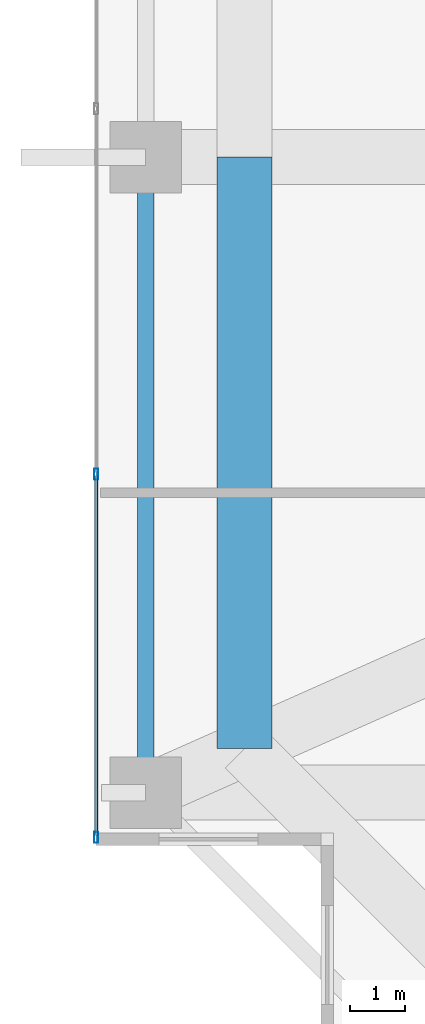
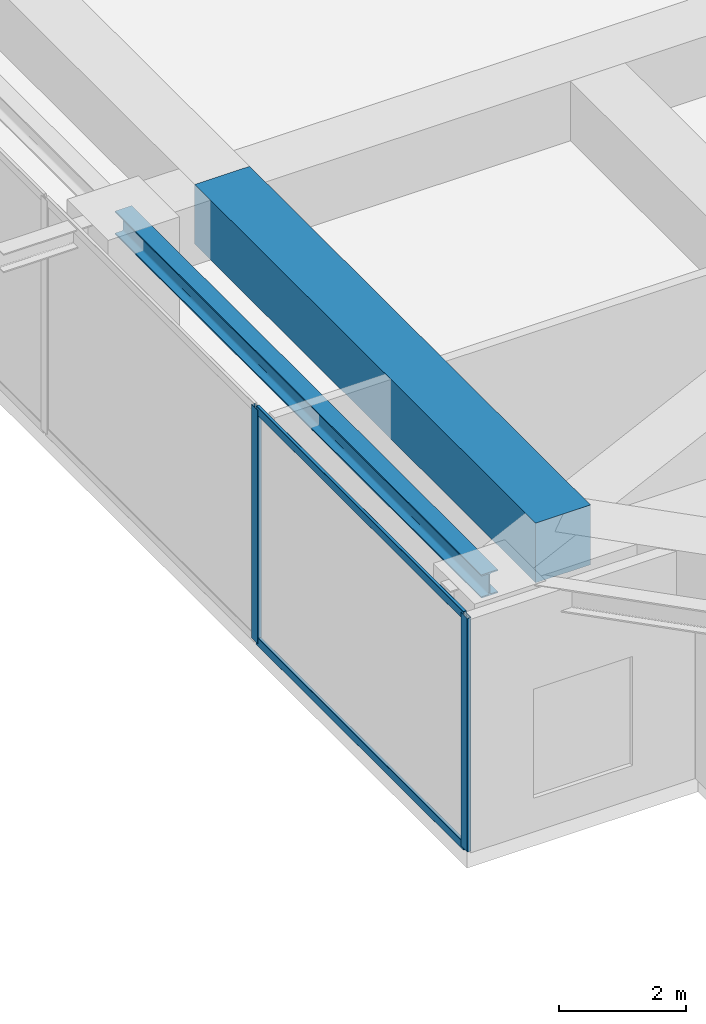
# One storey, part 4 of 35: 4 members, 2 beams, 1 element without a shape of its own.
"""IFC4 building model written with IfcOpenShell, lengths in metres."""

from ifc_helpers import new_model, si_unit, direction, frame, origin, origin_2d, place, context, subcontext, project, spatial, rectangle, hollow_rectangle, i_section, extrude, source, transform, mapped, material, layer, layer_set, material_profile, profile_set, type_object, element, aggregate, save


model = new_model("IFC4")

# Units and contexts
model_context = context("Model", 3, precision=1e-05, world=origin(), true_north=direction((0.0, 1.0)))
body_context = subcontext(model_context, "Body", "Model", "MODEL_VIEW")
ifc_project = project(units=[si_unit("LENGTHUNIT", "METRE"), si_unit("AREAUNIT", "SQUARE_METRE"), si_unit("VOLUMEUNIT", "CUBIC_METRE"), si_unit("PLANEANGLEUNIT", "RADIAN"), si_unit("MASSUNIT", "GRAM", prefix="KILO")], contexts=[model_context])

# Site, building, storey
site_placement = place(None, origin())
site = spatial("IfcSite", under=ifc_project, at=site_placement, CompositionType="ELEMENT")
building_placement = place(site_placement, origin())
building = spatial("IfcBuilding", under=site, at=building_placement, Name="Serunith Strait Residences", CompositionType="ELEMENT")
storey_placement = place(building_placement, frame((0.0, 0.0, 115.199951171875)))
storey = spatial("IfcBuildingStorey", under=building, at=storey_placement, Name="L28", CompositionType="ELEMENT", Elevation=115.199951171875)

# Beams
ifc_material_1 = material(Name="Steel S355J2", Category="steel")
ifc_material_profile_1 = material_profile(ifc_material_1, i_section(OverallWidth=0.300048828125, OverallDepth=0.449951171875, WebThickness=0.013916015625, FlangeThickness=0.02587890625, FilletRadius=0.027099609375, at=origin_2d()), Name="HEB 450")
ifc_profile_set_1 = profile_set([ifc_material_profile_1], Name="Steel S355J2")
beam_type_1 = type_object("IfcBeamType", Name="BM-HEB450", PredefinedType="BEAM", material=ifc_profile_set_1)
shared_shape_1 = source(origin(), body_context, "Body", "SweptSolid", [
    extrude(i_section(OverallWidth=0.300048828125, OverallDepth=0.449951171875, WebThickness=0.013916015625, FlangeThickness=0.02587890625, FilletRadius=0.027099609375, at=origin_2d()), origin(), (0.0, 0.0, 1.0), 11.550048828125),
])
beam_1_placement = place(storey_placement, frame((6.89990234375, 21.0, 4.281982421875), z_axis=(0.0, -1.0, 0.0), x_axis=(1.0, 0.0, 0.0)))
element("IfcBeam", 1, at=beam_1_placement, inside=storey, type_object=beam_type_1, Name="L28 Perimeter Ring Beam 15", PredefinedType="BEAM", context=body_context, shape_type="MappedRepresentation", body=[
    mapped(shared_shape_1, transform((0.0, 0.0, 0.0), scale=1.0)),
])
ifc_material_2 = material(Name="Concrete C80/95", Category="concrete")
ifc_material_profile_2 = material_profile(ifc_material_2, rectangle(XDim=1.0, YDim=1.14990234375, at=origin_2d()), Name="RC 1000x1150")
ifc_profile_set_2 = profile_set([ifc_material_profile_2], Name="Concrete C80/95")
beam_type_2 = type_object("IfcBeamType", Name="BM-XFER-1000x1150", PredefinedType="BEAM", material=ifc_profile_set_2)
shared_shape_2 = source(origin(), body_context, "Body", "SweptSolid", [
    extrude(rectangle(XDim=1.0, YDim=1.14990234375, at=origin_2d()), origin(), (0.0, 0.0, 1.0), 10.75),
])
beam_2_placement = place(storey_placement, frame((8.699951171875, 21.0, 3.93505859375), z_axis=(0.0, -1.0, 0.0), x_axis=(1.0, 0.0, 0.0)))
element("IfcBeam", 2, at=beam_2_placement, inside=storey, type_object=beam_type_2, Name="L28 Flare Upper Ring Transfer Girder 15", PredefinedType="BEAM", context=body_context, shape_type="MappedRepresentation", body=[
    mapped(shared_shape_2, transform((0.0, 0.0, 0.0), scale=1.0)),
])

# Curtain wall, members
ifc_material_3 = material(Name="Pale-Champagne Anodised Aluminium", Category="aluminium")
ifc_layer = layer(ifc_material_3, 0.199951171875, Name="Pale-Champagne Anodised Aluminium")
ifc_layer_set = layer_set([ifc_layer], Name="Pale-Champagne Anodised Aluminium")
curtain_wall_type = type_object("IfcCurtainWallType", Name="CW-SYS1", PredefinedType="NOTDEFINED", material=ifc_layer_set)
curtain_wall_placement = place(storey_placement, origin())
curtain_wall = element("IfcCurtainWall", 3, at=curtain_wall_placement, inside=storey, type_object=curtain_wall_type, Name="L28 W Unitised Fritted Curtain Wall", PredefinedType="NOTDEFINED")
ifc_material_profile_3 = material_profile(ifc_material_3, hollow_rectangle(XDim=0.06005859375, YDim=0.159912109375, WallThickness=0.00341796875, InnerFilletRadius=0.00537109375, OuterFilletRadius=0.0087890625, at=origin_2d()), Name="ALU 160x60x3.5")
ifc_profile_set_3 = profile_set([ifc_material_profile_3], Name="Pale-Champagne Anodised Aluminium")
member_type_1 = type_object("IfcMemberType", Name="CW-SYS1-TRAN", PredefinedType="USERDEFINED", material=ifc_profile_set_3)
shared_shape_3 = source(origin(), body_context, "Body", "SweptSolid", [
    extrude(hollow_rectangle(XDim=0.06005859375, YDim=0.159912109375, WallThickness=0.00341796875, InnerFilletRadius=0.00537109375, OuterFilletRadius=0.0087890625, at=origin_2d()), origin(), (0.0, 0.0, 1.0), 6.53515625),
])
member_1_placement = place(storey_placement, frame((6.0, 15.205078125, 0.030029296875), z_axis=(0.0, -1.0, 0.0), x_axis=(1.0, 0.0, 0.0)))
member_1 = element("IfcMember", 4, at=member_1_placement, type_object=member_type_1, Name="CW-1 transom 5.1", ObjectType="TRANSOM", PredefinedType="USERDEFINED", context=body_context, shape_type="MappedRepresentation", body=[
    mapped(shared_shape_3, transform((0.0, 0.0, 0.0), scale=1.0)),
])
member_2_placement = place(storey_placement, frame((6.0, 15.205078125, 4.465087890625), z_axis=(0.0, -1.0, 0.0), x_axis=(1.0, 0.0, 0.0)))
member_2 = element("IfcMember", 5, at=member_2_placement, type_object=member_type_1, Name="CW-1 transom 5.2", ObjectType="TRANSOM", PredefinedType="USERDEFINED", context=body_context, shape_type="MappedRepresentation", body=[
    mapped(shared_shape_3, transform((0.0, 0.0, 0.0), scale=1.0)),
])
ifc_material_profile_4 = material_profile(ifc_material_3, hollow_rectangle(XDim=0.070068359375, YDim=0.199951171875, WallThickness=0.00390625, InnerFilletRadius=0.006103515625, OuterFilletRadius=0.010009765625, at=origin_2d()), Name="ALU 200x70x4")
ifc_profile_set_4 = profile_set([ifc_material_profile_4], Name="Pale-Champagne Anodised Aluminium")
member_type_2 = type_object("IfcMemberType", Name="CW-SYS1-MULL", PredefinedType="MULLION", material=ifc_profile_set_4)
shared_shape_4 = source(origin(), body_context, "Body", "SweptSolid", [
    extrude(hollow_rectangle(XDim=0.070068359375, YDim=0.199951171875, WallThickness=0.00390625, InnerFilletRadius=0.006103515625, OuterFilletRadius=0.010009765625, at=origin_2d()), origin(), (0.0, 0.0, 1.0), 4.4951171875),
])
member_3_placement = place(storey_placement, frame((6.0, 15.239990234375, 0.0), z_axis=(0.0, 0.0, 1.0), x_axis=(1.0, 0.0, 0.0)))
member_3 = element("IfcMember", 6, at=member_3_placement, type_object=member_type_2, Name="CW-1 mullion 5", PredefinedType="MULLION", context=body_context, shape_type="MappedRepresentation", body=[
    mapped(shared_shape_4, transform((0.0, 0.0, 0.0), scale=1.0)),
])
member_4_placement = place(storey_placement, frame((6.0, 8.635009765625, 0.0), z_axis=(0.0, 0.0, 1.0), x_axis=(1.0, 0.0, 0.0)))
member_4 = element("IfcMember", 7, at=member_4_placement, type_object=member_type_2, Name="CW-1 mullion 6", PredefinedType="MULLION", context=body_context, shape_type="MappedRepresentation", body=[
    mapped(shared_shape_4, transform((0.0, 0.0, 0.0), scale=1.0)),
])
aggregate(curtain_wall, [member_3, member_4, member_1, member_2])

save(model, "model.ifc")
